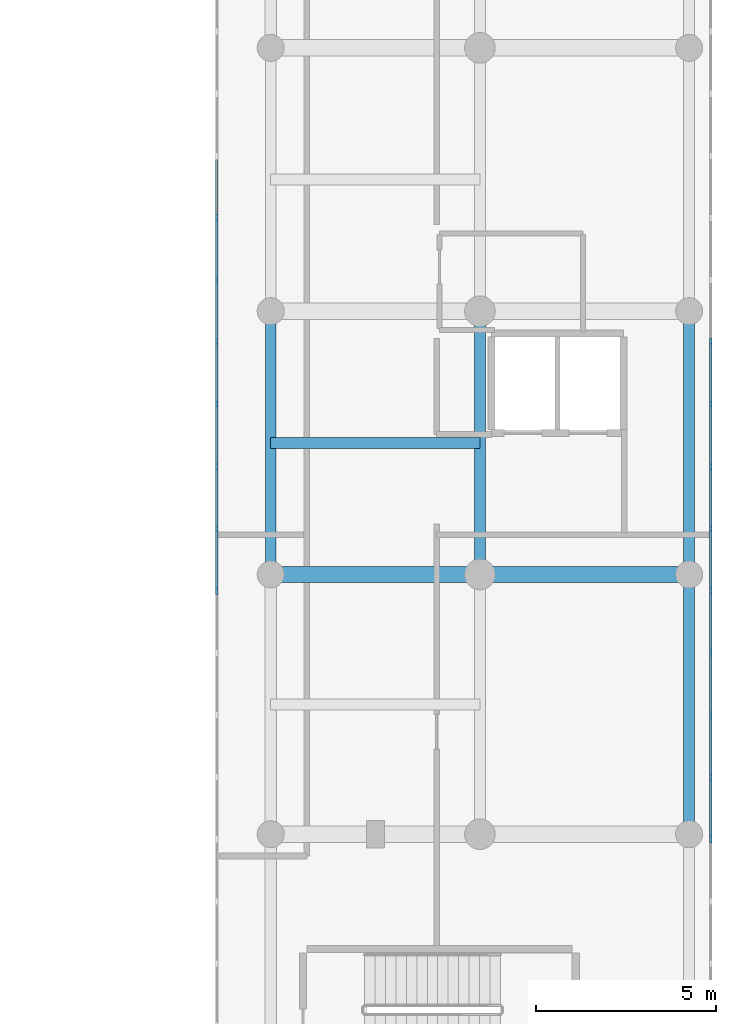
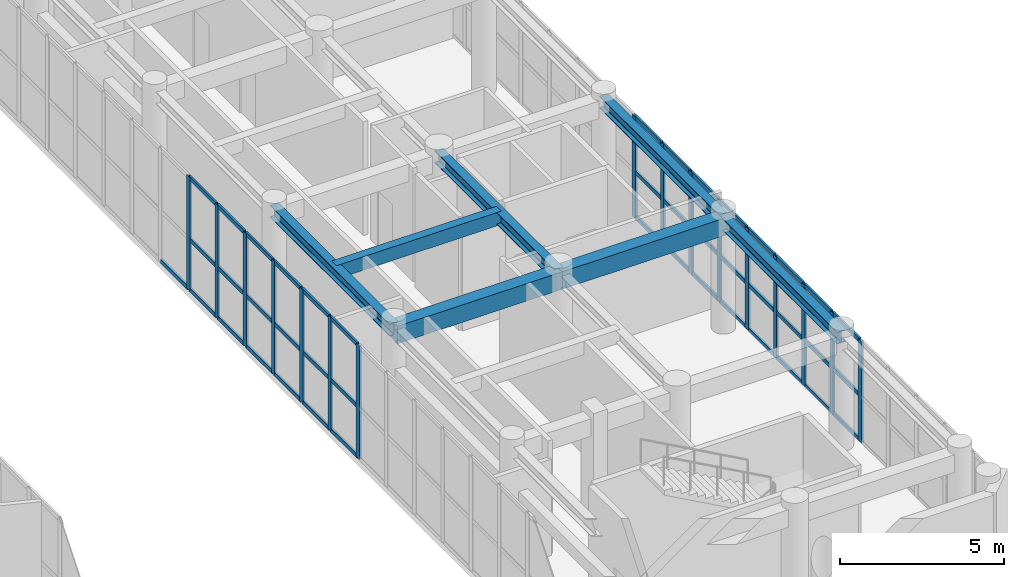
# One storey, part 6 of 24: 59 members, 7 beams, 2 elements without a shape of their own.
"""IFC4 building model written with IfcOpenShell, lengths in metres."""

from ifc_helpers import new_model, si_unit, direction, frame, origin, origin_with_axes, origin_2d, place, context, subcontext, project, spatial, rectangle, i_section, extrude, source, transform, mapped, material, layer, layer_set, material_profile, profile_set, type_object, element, aggregate, save


model = new_model("IFC4")

# Units and contexts
model_context = context("Model", 3, precision=1e-05, world=origin(), true_north=direction((0.0, 1.0)))
body_context = subcontext(model_context, "Body", "Model", "MODEL_VIEW")
ifc_project = project(units=[si_unit("LENGTHUNIT", "METRE"), si_unit("AREAUNIT", "SQUARE_METRE"), si_unit("VOLUMEUNIT", "CUBIC_METRE"), si_unit("PLANEANGLEUNIT", "RADIAN"), si_unit("MASSUNIT", "GRAM", prefix="KILO")], contexts=[model_context])

# Site, building, storey
site_placement = place(None, origin())
site = spatial("IfcSite", under=ifc_project, at=site_placement, CompositionType="ELEMENT")
building_placement = place(site_placement, origin())
building = spatial("IfcBuilding", under=site, at=building_placement, Name="Karkom Vertical University and Central Library", CompositionType="ELEMENT")
storey_placement = place(building_placement, frame((0.0, 0.0, 13.5)))
storey = spatial("IfcBuildingStorey", under=building, at=storey_placement, Name="L03", CompositionType="ELEMENT", Elevation=13.5)

# Beams
ifc_material_1 = material(Name="Concrete C40/50", Category="concrete")
ifc_material_profile_1 = material_profile(ifc_material_1, rectangle(XDim=0.449951171875, YDim=0.64990234375, at=origin_2d()), Name="RCB-450x650")
ifc_profile_set_1 = profile_set([ifc_material_profile_1], Name="Concrete C40/50")
beam_type_1 = type_object("IfcBeamType", Name="STR-BM-BG-4", PredefinedType="USERDEFINED", material=ifc_profile_set_1)
shared_shape_1 = source(origin_with_axes(), body_context, "Body", "SweptSolid", [
    extrude(rectangle(XDim=0.449951171875, YDim=0.64990234375, at=origin_2d()), origin(), (0.0, 0.0, 1.0), 5.7998046875),
])
beam_1_placement = place(storey_placement, frame((69.60009765625, 19.199951171875, 3.89990234375), z_axis=(1.0, 0.0, 0.0), x_axis=(0.0, 1.0, 0.0)))
element("IfcBeam", 1, at=beam_1_placement, inside=storey, type_object=beam_type_1, Name="Level 03 Library Transverse Girder 3.1", ObjectType="GIRDER", PredefinedType="USERDEFINED", context=body_context, shape_type="MappedRepresentation", body=[
    mapped(shared_shape_1, transform((0.0, 0.0, 0.0), scale=1.0)),
])
shared_shape_2 = source(origin_with_axes(), body_context, "Body", "SweptSolid", [
    extrude(rectangle(XDim=0.449951171875, YDim=0.64990234375, at=origin_2d()), origin(), (0.0, 0.0, 1.0), 5.800048828125),
])
beam_2_placement = place(storey_placement, frame((75.39990234375, 19.199951171875, 3.89990234375), z_axis=(1.0, 0.0, 0.0), x_axis=(0.0, 1.0, 0.0)))
element("IfcBeam", 2, at=beam_2_placement, inside=storey, type_object=beam_type_1, Name="Level 03 Library Transverse Girder 3.2", ObjectType="GIRDER", PredefinedType="USERDEFINED", context=body_context, shape_type="MappedRepresentation", body=[
    mapped(shared_shape_2, transform((0.0, 0.0, 0.0), scale=1.0)),
])
ifc_material_2 = material(Name="Steel S355", Category="steel")
ifc_material_profile_2 = material_profile(ifc_material_2, i_section(OverallWidth=0.300048828125, OverallDepth=0.449951171875, WebThickness=0.013916015625, FlangeThickness=0.02587890625, FilletRadius=0.027099609375, at=origin_2d()), Name="HE 450 B")
ifc_profile_set_2 = profile_set([ifc_material_profile_2], Name="Steel S355")
beam_type_2 = type_object("IfcBeamType", Name="STR-BM-SB-HE450", PredefinedType="BEAM", material=ifc_profile_set_2)
shared_shape_3 = source(origin_with_axes(), body_context, "Body", "SweptSolid", [
    extrude(i_section(OverallWidth=0.300048828125, OverallDepth=0.449951171875, WebThickness=0.013916015625, FlangeThickness=0.02587890625, FilletRadius=0.027099609375, at=origin_2d()), origin(), (0.0, 0.0, 1.0), 7.199951171875),
])
beam_3_placement = place(storey_placement, frame((81.199951171875, 12.0, 4.0), z_axis=(0.0, 1.0, 0.0), x_axis=(-1.0, 0.0, 0.0)))
element("IfcBeam", 3, at=beam_3_placement, inside=storey, type_object=beam_type_2, Name="Level 03 Library Longitudinal Beam 3.2", PredefinedType="BEAM", context=body_context, shape_type="MappedRepresentation", body=[
    mapped(shared_shape_3, transform((0.0, 0.0, 0.0), scale=1.0)),
])
shared_shape_4 = source(origin_with_axes(), body_context, "Body", "SweptSolid", [
    extrude(i_section(OverallWidth=0.300048828125, OverallDepth=0.449951171875, WebThickness=0.013916015625, FlangeThickness=0.02587890625, FilletRadius=0.027099609375, at=origin_2d()), origin(), (0.0, 0.0, 1.0), 7.300048828125),
])
for number, where, z_axis, x_axis, name in (
    (4, (69.60009765625, 19.199951171875, 4.0), (0.0, 1.0, 0.0), (-1.0, 0.0, 0.0), "Level 03 Library Longitudinal Beam 1.3"),
    (5, (75.39990234375, 19.199951171875, 4.0), (0.0, 1.0, 0.0), (-1.0, 0.0, 0.0), "Level 03 Library Longitudinal Beam 2.3"),
    (6, (81.199951171875, 19.199951171875, 4.0), (0.0, 1.0, 0.0), (-1.0, 0.0, 0.0), "Level 03 Library Longitudinal Beam 3.3"),
):
    element("IfcBeam", number, at=place(storey_placement, frame(where, z_axis=z_axis, x_axis=x_axis)), inside=storey, type_object=beam_type_2, Name=name, PredefinedType="BEAM", context=body_context, shape_type="MappedRepresentation", body=[
        mapped(shared_shape_4, transform((0.0, 0.0, 0.0), scale=1.0)),
    ])
ifc_material_profile_3 = material_profile(ifc_material_1, rectangle(XDim=0.300048828125, YDim=0.5, at=origin_2d()), Name="RCJ-300x500")
ifc_profile_set_3 = profile_set([ifc_material_profile_3], Name="Concrete C40/50")
beam_type_3 = type_object("IfcBeamType", Name="STR-BM-JS-1", PredefinedType="JOIST", material=ifc_profile_set_3)
shared_shape_5 = source(origin_with_axes(), body_context, "Body", "SweptSolid", [
    extrude(rectangle(XDim=0.300048828125, YDim=0.5, at=origin_2d()), origin(), (0.0, 0.0, 1.0), 5.7998046875),
])
beam_4_placement = place(storey_placement, frame((69.60009765625, 22.85009765625, 3.97509765625), z_axis=(1.0, 0.0, 0.0), x_axis=(0.0, 1.0, 0.0)))
element("IfcBeam", 7, at=beam_4_placement, inside=storey, type_object=beam_type_3, Name="Level 03 Library Reading Coffered Joist 3", PredefinedType="JOIST", context=body_context, shape_type="MappedRepresentation", body=[
    mapped(shared_shape_5, transform((0.0, 0.0, 0.0), scale=1.0)),
])

# Curtain wall, members
ifc_material_3 = material(Name="Aluminium curtain-wall framing and low-E IGU", Category="aluminium")
ifc_layer = layer(ifc_material_3, 0.199951171875)
ifc_layer_set = layer_set([ifc_layer], Name="Aluminium curtain-wall framing and low-E IGU")
curtain_wall_type = type_object("IfcCurtainWallType", Name="ENV-CW-1", PredefinedType="USERDEFINED", material=ifc_layer_set)
curtain_wall_1_placement = place(storey_placement, origin())
curtain_wall_1 = element("IfcCurtainWall", 8, at=curtain_wall_1_placement, inside=storey, type_object=curtain_wall_type, Name="Level 03 CW-1 Curtain Wall Level 03-CW-1-LIB-3", ObjectType="STICK MULLION GLAZING", PredefinedType="USERDEFINED")
ifc_material_4 = material(Name="Anodised Aluminium 6063-T6", Category="aluminium")
ifc_material_profile_4 = material_profile(ifc_material_4, rectangle(XDim=0.070068359375, YDim=0.199951171875, at=origin_2d()), Name="ALU-M70x200")
ifc_profile_set_4 = profile_set([ifc_material_profile_4], Name="Anodised Aluminium 6063-T6")
member_type_1 = type_object("IfcMemberType", Name="ENV-MEM-ALU-M70x200", PredefinedType="MULLION", material=ifc_profile_set_4)
shared_shape_6 = source(origin_with_axes(), body_context, "Body", "SweptSolid", [
    extrude(rectangle(XDim=0.070068359375, YDim=0.199951171875, at=origin_2d()), origin(), (0.0, 0.0, 1.0), 3.77490234375),
])
member_1_placement = place(storey_placement, frame((81.800048828125, 11.861083984375, 0.0), z_axis=(0.0, 0.0, 1.0), x_axis=(-1.0, 0.0, 0.0)))
member_1 = element("IfcMember", 9, at=member_1_placement, type_object=member_type_1, Name="CW-1 mullion 6", PredefinedType="MULLION", context=body_context, shape_type="MappedRepresentation", body=[
    mapped(shared_shape_6, transform((0.0, 0.0, 0.0), scale=1.0)),
])
member_2_placement = place(storey_placement, frame((81.800048828125, 13.583251953125, 0.0), z_axis=(0.0, 0.0, 1.0), x_axis=(-1.0, 0.0, 0.0)))
member_2 = element("IfcMember", 10, at=member_2_placement, type_object=member_type_1, Name="CW-1 mullion 7", PredefinedType="MULLION", context=body_context, shape_type="MappedRepresentation", body=[
    mapped(shared_shape_6, transform((0.0, 0.0, 0.0), scale=1.0)),
])
member_3_placement = place(storey_placement, frame((81.800048828125, 15.3056640625, 0.0), z_axis=(0.0, 0.0, 1.0), x_axis=(-1.0, 0.0, 0.0)))
member_3 = element("IfcMember", 11, at=member_3_placement, type_object=member_type_1, Name="CW-1 mullion 8", PredefinedType="MULLION", context=body_context, shape_type="MappedRepresentation", body=[
    mapped(shared_shape_6, transform((0.0, 0.0, 0.0), scale=1.0)),
])
member_4_placement = place(storey_placement, frame((81.800048828125, 17.02783203125, 0.0), z_axis=(0.0, 0.0, 1.0), x_axis=(-1.0, 0.0, 0.0)))
member_4 = element("IfcMember", 12, at=member_4_placement, type_object=member_type_1, Name="CW-1 mullion 9", PredefinedType="MULLION", context=body_context, shape_type="MappedRepresentation", body=[
    mapped(shared_shape_6, transform((0.0, 0.0, 0.0), scale=1.0)),
])
member_5_placement = place(storey_placement, frame((81.800048828125, 18.75, 0.0), z_axis=(0.0, 0.0, 1.0), x_axis=(-1.0, 0.0, 0.0)))
member_5 = element("IfcMember", 13, at=member_5_placement, type_object=member_type_1, Name="CW-1 mullion 10", PredefinedType="MULLION", context=body_context, shape_type="MappedRepresentation", body=[
    mapped(shared_shape_6, transform((0.0, 0.0, 0.0), scale=1.0)),
])
member_6_placement = place(storey_placement, frame((81.800048828125, 20.47216796875, 0.0), z_axis=(0.0, 0.0, 1.0), x_axis=(-1.0, 0.0, 0.0)))
member_6 = element("IfcMember", 14, at=member_6_placement, type_object=member_type_1, Name="CW-1 mullion 11", PredefinedType="MULLION", context=body_context, shape_type="MappedRepresentation", body=[
    mapped(shared_shape_6, transform((0.0, 0.0, 0.0), scale=1.0)),
])
member_7_placement = place(storey_placement, frame((81.800048828125, 22.1943359375, 0.0), z_axis=(0.0, 0.0, 1.0), x_axis=(-1.0, 0.0, 0.0)))
member_7 = element("IfcMember", 15, at=member_7_placement, type_object=member_type_1, Name="CW-1 mullion 12", PredefinedType="MULLION", context=body_context, shape_type="MappedRepresentation", body=[
    mapped(shared_shape_6, transform((0.0, 0.0, 0.0), scale=1.0)),
])
member_8_placement = place(storey_placement, frame((81.800048828125, 23.916748046875, 0.0), z_axis=(0.0, 0.0, 1.0), x_axis=(-1.0, 0.0, 0.0)))
member_8 = element("IfcMember", 16, at=member_8_placement, type_object=member_type_1, Name="CW-1 mullion 13", PredefinedType="MULLION", context=body_context, shape_type="MappedRepresentation", body=[
    mapped(shared_shape_6, transform((0.0, 0.0, 0.0), scale=1.0)),
])
member_9_placement = place(storey_placement, frame((81.800048828125, 25.638916015625, 0.0), z_axis=(0.0, 0.0, 1.0), x_axis=(-1.0, 0.0, 0.0)))
member_9 = element("IfcMember", 17, at=member_9_placement, type_object=member_type_1, Name="CW-1 mullion 14", PredefinedType="MULLION", context=body_context, shape_type="MappedRepresentation", body=[
    mapped(shared_shape_6, transform((0.0, 0.0, 0.0), scale=1.0)),
])
ifc_material_profile_5 = material_profile(ifc_material_4, rectangle(XDim=0.070068359375, YDim=0.14990234375, at=origin_2d()), Name="ALU-T70x150")
ifc_profile_set_5 = profile_set([ifc_material_profile_5], Name="Anodised Aluminium 6063-T6")
member_type_2 = type_object("IfcMemberType", Name="ENV-MEM-ALU-T70x150", PredefinedType="USERDEFINED", material=ifc_profile_set_5)
shared_shape_7 = source(origin_with_axes(), body_context, "Body", "SweptSolid", [
    extrude(rectangle(XDim=0.070068359375, YDim=0.14990234375, at=origin_2d()), origin(), (0.0, 0.0, 1.0), 1.652099609375),
])
member_10_placement = place(storey_placement, frame((81.800048828125, 13.618408203125, 0.034912109375), z_axis=(0.0, 1.0, 0.0), x_axis=(-1.0, 0.0, 0.0)))
member_10 = element("IfcMember", 18, at=member_10_placement, type_object=member_type_2, Name="CW-1 transom 7.1", ObjectType="TRANSOM", PredefinedType="USERDEFINED", context=body_context, shape_type="MappedRepresentation", body=[
    mapped(shared_shape_7, transform((0.0, 0.0, 0.0), scale=1.0)),
])
member_11_placement = place(storey_placement, frame((81.800048828125, 13.618408203125, 1.69873046875), z_axis=(0.0, 1.0, 0.0), x_axis=(-1.0, 0.0, 0.0)))
member_11 = element("IfcMember", 19, at=member_11_placement, type_object=member_type_2, Name="CW-1 transom 7.2", ObjectType="TRANSOM", PredefinedType="USERDEFINED", context=body_context, shape_type="MappedRepresentation", body=[
    mapped(shared_shape_7, transform((0.0, 0.0, 0.0), scale=1.0)),
])
member_12_placement = place(storey_placement, frame((81.800048828125, 13.618408203125, 3.739990234375), z_axis=(0.0, 1.0, 0.0), x_axis=(-1.0, 0.0, 0.0)))
member_12 = element("IfcMember", 20, at=member_12_placement, type_object=member_type_2, Name="CW-1 transom 7.3", ObjectType="TRANSOM", PredefinedType="USERDEFINED", context=body_context, shape_type="MappedRepresentation", body=[
    mapped(shared_shape_7, transform((0.0, 0.0, 0.0), scale=1.0)),
])
member_13_placement = place(storey_placement, frame((81.800048828125, 15.340576171875, 0.034912109375), z_axis=(0.0, 1.0, 0.0), x_axis=(-1.0, 0.0, 0.0)))
member_13 = element("IfcMember", 21, at=member_13_placement, type_object=member_type_2, Name="CW-1 transom 8.1", ObjectType="TRANSOM", PredefinedType="USERDEFINED", context=body_context, shape_type="MappedRepresentation", body=[
    mapped(shared_shape_7, transform((0.0, 0.0, 0.0), scale=1.0)),
])
member_14_placement = place(storey_placement, frame((81.800048828125, 15.340576171875, 1.69873046875), z_axis=(0.0, 1.0, 0.0), x_axis=(-1.0, 0.0, 0.0)))
member_14 = element("IfcMember", 22, at=member_14_placement, type_object=member_type_2, Name="CW-1 transom 8.2", ObjectType="TRANSOM", PredefinedType="USERDEFINED", context=body_context, shape_type="MappedRepresentation", body=[
    mapped(shared_shape_7, transform((0.0, 0.0, 0.0), scale=1.0)),
])
member_15_placement = place(storey_placement, frame((81.800048828125, 15.340576171875, 3.739990234375), z_axis=(0.0, 1.0, 0.0), x_axis=(-1.0, 0.0, 0.0)))
member_15 = element("IfcMember", 23, at=member_15_placement, type_object=member_type_2, Name="CW-1 transom 8.3", ObjectType="TRANSOM", PredefinedType="USERDEFINED", context=body_context, shape_type="MappedRepresentation", body=[
    mapped(shared_shape_7, transform((0.0, 0.0, 0.0), scale=1.0)),
])
member_16_placement = place(storey_placement, frame((81.800048828125, 20.50732421875, 0.034912109375), z_axis=(0.0, 1.0, 0.0), x_axis=(-1.0, 0.0, 0.0)))
member_16 = element("IfcMember", 24, at=member_16_placement, type_object=member_type_2, Name="CW-1 transom 11.1", ObjectType="TRANSOM", PredefinedType="USERDEFINED", context=body_context, shape_type="MappedRepresentation", body=[
    mapped(shared_shape_7, transform((0.0, 0.0, 0.0), scale=1.0)),
])
member_17_placement = place(storey_placement, frame((81.800048828125, 20.50732421875, 1.69873046875), z_axis=(0.0, 1.0, 0.0), x_axis=(-1.0, 0.0, 0.0)))
member_17 = element("IfcMember", 25, at=member_17_placement, type_object=member_type_2, Name="CW-1 transom 11.2", ObjectType="TRANSOM", PredefinedType="USERDEFINED", context=body_context, shape_type="MappedRepresentation", body=[
    mapped(shared_shape_7, transform((0.0, 0.0, 0.0), scale=1.0)),
])
member_18_placement = place(storey_placement, frame((81.800048828125, 20.50732421875, 3.739990234375), z_axis=(0.0, 1.0, 0.0), x_axis=(-1.0, 0.0, 0.0)))
member_18 = element("IfcMember", 26, at=member_18_placement, type_object=member_type_2, Name="CW-1 transom 11.3", ObjectType="TRANSOM", PredefinedType="USERDEFINED", context=body_context, shape_type="MappedRepresentation", body=[
    mapped(shared_shape_7, transform((0.0, 0.0, 0.0), scale=1.0)),
])
member_19_placement = place(storey_placement, frame((81.800048828125, 22.2294921875, 0.034912109375), z_axis=(0.0, 1.0, 0.0), x_axis=(-1.0, 0.0, 0.0)))
member_19 = element("IfcMember", 27, at=member_19_placement, type_object=member_type_2, Name="CW-1 transom 12.1", ObjectType="TRANSOM", PredefinedType="USERDEFINED", context=body_context, shape_type="MappedRepresentation", body=[
    mapped(shared_shape_7, transform((0.0, 0.0, 0.0), scale=1.0)),
])
member_20_placement = place(storey_placement, frame((81.800048828125, 22.2294921875, 1.69873046875), z_axis=(0.0, 1.0, 0.0), x_axis=(-1.0, 0.0, 0.0)))
member_20 = element("IfcMember", 28, at=member_20_placement, type_object=member_type_2, Name="CW-1 transom 12.2", ObjectType="TRANSOM", PredefinedType="USERDEFINED", context=body_context, shape_type="MappedRepresentation", body=[
    mapped(shared_shape_7, transform((0.0, 0.0, 0.0), scale=1.0)),
])
member_21_placement = place(storey_placement, frame((81.800048828125, 22.2294921875, 3.739990234375), z_axis=(0.0, 1.0, 0.0), x_axis=(-1.0, 0.0, 0.0)))
member_21 = element("IfcMember", 29, at=member_21_placement, type_object=member_type_2, Name="CW-1 transom 12.3", ObjectType="TRANSOM", PredefinedType="USERDEFINED", context=body_context, shape_type="MappedRepresentation", body=[
    mapped(shared_shape_7, transform((0.0, 0.0, 0.0), scale=1.0)),
])

curtain_wall_2_placement = place(storey_placement, origin())
curtain_wall_2 = element("IfcCurtainWall", 30, at=curtain_wall_2_placement, inside=storey, type_object=curtain_wall_type, Name="Level 03 CW-1 Curtain Wall Level 03-CW-1-LIB-7", ObjectType="STICK MULLION GLAZING", PredefinedType="USERDEFINED")
member_22_placement = place(storey_placement, frame((68.10009765625, 30.7705078125, 0.034912109375), z_axis=(0.0, -1.0, 0.0), x_axis=(1.0, 0.0, 0.0)))
member_22 = element("IfcMember", 31, at=member_22_placement, type_object=member_type_2, Name="CW-1 transom 12.1", ObjectType="TRANSOM", PredefinedType="USERDEFINED", context=body_context, shape_type="MappedRepresentation", body=[
    mapped(shared_shape_7, transform((0.0, 0.0, 0.0), scale=1.0)),
])
member_23_placement = place(storey_placement, frame((68.10009765625, 23.881591796875, 0.034912109375), z_axis=(0.0, -1.0, 0.0), x_axis=(1.0, 0.0, 0.0)))
member_23 = element("IfcMember", 32, at=member_23_placement, type_object=member_type_2, Name="CW-1 transom 16.1", ObjectType="TRANSOM", PredefinedType="USERDEFINED", context=body_context, shape_type="MappedRepresentation", body=[
    mapped(shared_shape_7, transform((0.0, 0.0, 0.0), scale=1.0)),
])
member_24_placement = place(storey_placement, frame((68.10009765625, 23.881591796875, 1.901123046875), z_axis=(0.0, -1.0, 0.0), x_axis=(1.0, 0.0, 0.0)))
member_24 = element("IfcMember", 33, at=member_24_placement, type_object=member_type_2, Name="CW-1 transom 16.2", ObjectType="TRANSOM", PredefinedType="USERDEFINED", context=body_context, shape_type="MappedRepresentation", body=[
    mapped(shared_shape_7, transform((0.0, 0.0, 0.0), scale=1.0)),
])
member_25_placement = place(storey_placement, frame((68.10009765625, 23.881591796875, 4.18994140625), z_axis=(0.0, -1.0, 0.0), x_axis=(1.0, 0.0, 0.0)))
member_25 = element("IfcMember", 34, at=member_25_placement, type_object=member_type_2, Name="CW-1 transom 16.3", ObjectType="TRANSOM", PredefinedType="USERDEFINED", context=body_context, shape_type="MappedRepresentation", body=[
    mapped(shared_shape_7, transform((0.0, 0.0, 0.0), scale=1.0)),
])
member_26_placement = place(storey_placement, frame((68.10009765625, 22.159423828125, 0.034912109375), z_axis=(0.0, -1.0, 0.0), x_axis=(1.0, 0.0, 0.0)))
member_26 = element("IfcMember", 35, at=member_26_placement, type_object=member_type_2, Name="CW-1 transom 17.1", ObjectType="TRANSOM", PredefinedType="USERDEFINED", context=body_context, shape_type="MappedRepresentation", body=[
    mapped(shared_shape_7, transform((0.0, 0.0, 0.0), scale=1.0)),
])
member_27_placement = place(storey_placement, frame((68.10009765625, 22.159423828125, 1.901123046875), z_axis=(0.0, -1.0, 0.0), x_axis=(1.0, 0.0, 0.0)))
member_27 = element("IfcMember", 36, at=member_27_placement, type_object=member_type_2, Name="CW-1 transom 17.2", ObjectType="TRANSOM", PredefinedType="USERDEFINED", context=body_context, shape_type="MappedRepresentation", body=[
    mapped(shared_shape_7, transform((0.0, 0.0, 0.0), scale=1.0)),
])
member_28_placement = place(storey_placement, frame((68.10009765625, 22.159423828125, 4.18994140625), z_axis=(0.0, -1.0, 0.0), x_axis=(1.0, 0.0, 0.0)))
member_28 = element("IfcMember", 37, at=member_28_placement, type_object=member_type_2, Name="CW-1 transom 17.3", ObjectType="TRANSOM", PredefinedType="USERDEFINED", context=body_context, shape_type="MappedRepresentation", body=[
    mapped(shared_shape_7, transform((0.0, 0.0, 0.0), scale=1.0)),
])

# Member
shared_shape_8 = source(origin_with_axes(), body_context, "Body", "SweptSolid", [
    extrude(rectangle(XDim=0.070068359375, YDim=0.14990234375, at=origin_2d()), origin(), (0.0, 0.0, 1.0), 1.65234375),
])
member_29_placement = place(storey_placement, frame((81.800048828125, 11.89599609375, 0.034912109375), z_axis=(0.0, 1.0, 0.0), x_axis=(-1.0, 0.0, 0.0)))
member_29 = element("IfcMember", 38, at=member_29_placement, type_object=member_type_2, Name="CW-1 transom 6.1", ObjectType="TRANSOM", PredefinedType="USERDEFINED", context=body_context, shape_type="MappedRepresentation", body=[
    mapped(shared_shape_8, transform((0.0, 0.0, 0.0), scale=1.0)),
])

member_30_placement = place(storey_placement, frame((81.800048828125, 11.89599609375, 1.69873046875), z_axis=(0.0, 1.0, 0.0), x_axis=(-1.0, 0.0, 0.0)))
member_30 = element("IfcMember", 39, at=member_30_placement, type_object=member_type_2, Name="CW-1 transom 6.2", ObjectType="TRANSOM", PredefinedType="USERDEFINED", context=body_context, shape_type="MappedRepresentation", body=[
    mapped(shared_shape_8, transform((0.0, 0.0, 0.0), scale=1.0)),
])

member_31_placement = place(storey_placement, frame((81.800048828125, 11.89599609375, 3.739990234375), z_axis=(0.0, 1.0, 0.0), x_axis=(-1.0, 0.0, 0.0)))
member_31 = element("IfcMember", 40, at=member_31_placement, type_object=member_type_2, Name="CW-1 transom 6.3", ObjectType="TRANSOM", PredefinedType="USERDEFINED", context=body_context, shape_type="MappedRepresentation", body=[
    mapped(shared_shape_8, transform((0.0, 0.0, 0.0), scale=1.0)),
])

member_32_placement = place(storey_placement, frame((81.800048828125, 17.062744140625, 0.034912109375), z_axis=(0.0, 1.0, 0.0), x_axis=(-1.0, 0.0, 0.0)))
member_32 = element("IfcMember", 41, at=member_32_placement, type_object=member_type_2, Name="CW-1 transom 9.1", ObjectType="TRANSOM", PredefinedType="USERDEFINED", context=body_context, shape_type="MappedRepresentation", body=[
    mapped(shared_shape_8, transform((0.0, 0.0, 0.0), scale=1.0)),
])

member_33_placement = place(storey_placement, frame((81.800048828125, 17.062744140625, 1.69873046875), z_axis=(0.0, 1.0, 0.0), x_axis=(-1.0, 0.0, 0.0)))
member_33 = element("IfcMember", 42, at=member_33_placement, type_object=member_type_2, Name="CW-1 transom 9.2", ObjectType="TRANSOM", PredefinedType="USERDEFINED", context=body_context, shape_type="MappedRepresentation", body=[
    mapped(shared_shape_8, transform((0.0, 0.0, 0.0), scale=1.0)),
])

member_34_placement = place(storey_placement, frame((81.800048828125, 17.062744140625, 3.739990234375), z_axis=(0.0, 1.0, 0.0), x_axis=(-1.0, 0.0, 0.0)))
member_34 = element("IfcMember", 43, at=member_34_placement, type_object=member_type_2, Name="CW-1 transom 9.3", ObjectType="TRANSOM", PredefinedType="USERDEFINED", context=body_context, shape_type="MappedRepresentation", body=[
    mapped(shared_shape_8, transform((0.0, 0.0, 0.0), scale=1.0)),
])

member_35_placement = place(storey_placement, frame((81.800048828125, 18.784912109375, 0.034912109375), z_axis=(0.0, 1.0, 0.0), x_axis=(-1.0, 0.0, 0.0)))
member_35 = element("IfcMember", 44, at=member_35_placement, type_object=member_type_2, Name="CW-1 transom 10.1", ObjectType="TRANSOM", PredefinedType="USERDEFINED", context=body_context, shape_type="MappedRepresentation", body=[
    mapped(shared_shape_8, transform((0.0, 0.0, 0.0), scale=1.0)),
])

member_36_placement = place(storey_placement, frame((81.800048828125, 18.784912109375, 1.69873046875), z_axis=(0.0, 1.0, 0.0), x_axis=(-1.0, 0.0, 0.0)))
member_36 = element("IfcMember", 45, at=member_36_placement, type_object=member_type_2, Name="CW-1 transom 10.2", ObjectType="TRANSOM", PredefinedType="USERDEFINED", context=body_context, shape_type="MappedRepresentation", body=[
    mapped(shared_shape_8, transform((0.0, 0.0, 0.0), scale=1.0)),
])

member_37_placement = place(storey_placement, frame((81.800048828125, 18.784912109375, 3.739990234375), z_axis=(0.0, 1.0, 0.0), x_axis=(-1.0, 0.0, 0.0)))
member_37 = element("IfcMember", 46, at=member_37_placement, type_object=member_type_2, Name="CW-1 transom 10.3", ObjectType="TRANSOM", PredefinedType="USERDEFINED", context=body_context, shape_type="MappedRepresentation", body=[
    mapped(shared_shape_8, transform((0.0, 0.0, 0.0), scale=1.0)),
])

member_38_placement = place(storey_placement, frame((81.800048828125, 23.95166015625, 0.034912109375), z_axis=(0.0, 1.0, 0.0), x_axis=(-1.0, 0.0, 0.0)))
member_38 = element("IfcMember", 47, at=member_38_placement, type_object=member_type_2, Name="CW-1 transom 13.1", ObjectType="TRANSOM", PredefinedType="USERDEFINED", context=body_context, shape_type="MappedRepresentation", body=[
    mapped(shared_shape_8, transform((0.0, 0.0, 0.0), scale=1.0)),
])

member_39_placement = place(storey_placement, frame((81.800048828125, 23.95166015625, 1.69873046875), z_axis=(0.0, 1.0, 0.0), x_axis=(-1.0, 0.0, 0.0)))
member_39 = element("IfcMember", 48, at=member_39_placement, type_object=member_type_2, Name="CW-1 transom 13.2", ObjectType="TRANSOM", PredefinedType="USERDEFINED", context=body_context, shape_type="MappedRepresentation", body=[
    mapped(shared_shape_8, transform((0.0, 0.0, 0.0), scale=1.0)),
])

member_40_placement = place(storey_placement, frame((81.800048828125, 23.95166015625, 3.739990234375), z_axis=(0.0, 1.0, 0.0), x_axis=(-1.0, 0.0, 0.0)))
member_40 = element("IfcMember", 49, at=member_40_placement, type_object=member_type_2, Name="CW-1 transom 13.3", ObjectType="TRANSOM", PredefinedType="USERDEFINED", context=body_context, shape_type="MappedRepresentation", body=[
    mapped(shared_shape_8, transform((0.0, 0.0, 0.0), scale=1.0)),
])

aggregate(curtain_wall_1, [member_1, member_2, member_3, member_4, member_5, member_6, member_7, member_8, member_9, member_29, member_30, member_31, member_10, member_11, member_12, member_13, member_14, member_15, member_32, member_33, member_34, member_35, member_36, member_37, member_16, member_17, member_18, member_19, member_20, member_21, member_38, member_39, member_40])

member_41_placement = place(storey_placement, frame((68.10009765625, 29.04833984375, 0.034912109375), z_axis=(0.0, -1.0, 0.0), x_axis=(1.0, 0.0, 0.0)))
member_41 = element("IfcMember", 50, at=member_41_placement, type_object=member_type_2, Name="CW-1 transom 13.1", ObjectType="TRANSOM", PredefinedType="USERDEFINED", context=body_context, shape_type="MappedRepresentation", body=[
    mapped(shared_shape_8, transform((0.0, 0.0, 0.0), scale=1.0)),
])

member_42_placement = place(storey_placement, frame((68.10009765625, 29.04833984375, 1.901123046875), z_axis=(0.0, -1.0, 0.0), x_axis=(1.0, 0.0, 0.0)))
member_42 = element("IfcMember", 51, at=member_42_placement, type_object=member_type_2, Name="CW-1 transom 13.2", ObjectType="TRANSOM", PredefinedType="USERDEFINED", context=body_context, shape_type="MappedRepresentation", body=[
    mapped(shared_shape_8, transform((0.0, 0.0, 0.0), scale=1.0)),
])

member_43_placement = place(storey_placement, frame((68.10009765625, 29.04833984375, 4.18994140625), z_axis=(0.0, -1.0, 0.0), x_axis=(1.0, 0.0, 0.0)))
member_43 = element("IfcMember", 52, at=member_43_placement, type_object=member_type_2, Name="CW-1 transom 13.3", ObjectType="TRANSOM", PredefinedType="USERDEFINED", context=body_context, shape_type="MappedRepresentation", body=[
    mapped(shared_shape_8, transform((0.0, 0.0, 0.0), scale=1.0)),
])

member_44_placement = place(storey_placement, frame((68.10009765625, 27.326171875, 0.034912109375), z_axis=(0.0, -1.0, 0.0), x_axis=(1.0, 0.0, 0.0)))
member_44 = element("IfcMember", 53, at=member_44_placement, type_object=member_type_2, Name="CW-1 transom 14.1", ObjectType="TRANSOM", PredefinedType="USERDEFINED", context=body_context, shape_type="MappedRepresentation", body=[
    mapped(shared_shape_8, transform((0.0, 0.0, 0.0), scale=1.0)),
])

member_45_placement = place(storey_placement, frame((68.10009765625, 27.326171875, 1.901123046875), z_axis=(0.0, -1.0, 0.0), x_axis=(1.0, 0.0, 0.0)))
member_45 = element("IfcMember", 54, at=member_45_placement, type_object=member_type_2, Name="CW-1 transom 14.2", ObjectType="TRANSOM", PredefinedType="USERDEFINED", context=body_context, shape_type="MappedRepresentation", body=[
    mapped(shared_shape_8, transform((0.0, 0.0, 0.0), scale=1.0)),
])

member_46_placement = place(storey_placement, frame((68.10009765625, 27.326171875, 4.18994140625), z_axis=(0.0, -1.0, 0.0), x_axis=(1.0, 0.0, 0.0)))
member_46 = element("IfcMember", 55, at=member_46_placement, type_object=member_type_2, Name="CW-1 transom 14.3", ObjectType="TRANSOM", PredefinedType="USERDEFINED", context=body_context, shape_type="MappedRepresentation", body=[
    mapped(shared_shape_8, transform((0.0, 0.0, 0.0), scale=1.0)),
])

member_47_placement = place(storey_placement, frame((68.10009765625, 25.60400390625, 0.034912109375), z_axis=(0.0, -1.0, 0.0), x_axis=(1.0, 0.0, 0.0)))
member_47 = element("IfcMember", 56, at=member_47_placement, type_object=member_type_2, Name="CW-1 transom 15.1", ObjectType="TRANSOM", PredefinedType="USERDEFINED", context=body_context, shape_type="MappedRepresentation", body=[
    mapped(shared_shape_8, transform((0.0, 0.0, 0.0), scale=1.0)),
])

member_48_placement = place(storey_placement, frame((68.10009765625, 25.60400390625, 1.901123046875), z_axis=(0.0, -1.0, 0.0), x_axis=(1.0, 0.0, 0.0)))
member_48 = element("IfcMember", 57, at=member_48_placement, type_object=member_type_2, Name="CW-1 transom 15.2", ObjectType="TRANSOM", PredefinedType="USERDEFINED", context=body_context, shape_type="MappedRepresentation", body=[
    mapped(shared_shape_8, transform((0.0, 0.0, 0.0), scale=1.0)),
])

member_49_placement = place(storey_placement, frame((68.10009765625, 25.60400390625, 4.18994140625), z_axis=(0.0, -1.0, 0.0), x_axis=(1.0, 0.0, 0.0)))
member_49 = element("IfcMember", 58, at=member_49_placement, type_object=member_type_2, Name="CW-1 transom 15.3", ObjectType="TRANSOM", PredefinedType="USERDEFINED", context=body_context, shape_type="MappedRepresentation", body=[
    mapped(shared_shape_8, transform((0.0, 0.0, 0.0), scale=1.0)),
])

member_50_placement = place(storey_placement, frame((68.10009765625, 20.437255859375, 0.034912109375), z_axis=(0.0, -1.0, 0.0), x_axis=(1.0, 0.0, 0.0)))
member_50 = element("IfcMember", 59, at=member_50_placement, type_object=member_type_2, Name="CW-1 transom 18.1", ObjectType="TRANSOM", PredefinedType="USERDEFINED", context=body_context, shape_type="MappedRepresentation", body=[
    mapped(shared_shape_8, transform((0.0, 0.0, 0.0), scale=1.0)),
])

member_51_placement = place(storey_placement, frame((68.10009765625, 20.437255859375, 1.901123046875), z_axis=(0.0, -1.0, 0.0), x_axis=(1.0, 0.0, 0.0)))
member_51 = element("IfcMember", 60, at=member_51_placement, type_object=member_type_2, Name="CW-1 transom 18.2", ObjectType="TRANSOM", PredefinedType="USERDEFINED", context=body_context, shape_type="MappedRepresentation", body=[
    mapped(shared_shape_8, transform((0.0, 0.0, 0.0), scale=1.0)),
])

member_52_placement = place(storey_placement, frame((68.10009765625, 20.437255859375, 4.18994140625), z_axis=(0.0, -1.0, 0.0), x_axis=(1.0, 0.0, 0.0)))
member_52 = element("IfcMember", 61, at=member_52_placement, type_object=member_type_2, Name="CW-1 transom 18.3", ObjectType="TRANSOM", PredefinedType="USERDEFINED", context=body_context, shape_type="MappedRepresentation", body=[
    mapped(shared_shape_8, transform((0.0, 0.0, 0.0), scale=1.0)),
])

shared_shape_9 = source(origin_with_axes(), body_context, "Body", "SweptSolid", [
    extrude(rectangle(XDim=0.070068359375, YDim=0.199951171875, at=origin_2d()), origin(), (0.0, 0.0, 1.0), 4.22509765625),
])
member_53_placement = place(storey_placement, frame((68.10009765625, 29.083251953125, 0.0), z_axis=(0.0, 0.0, 1.0), x_axis=(1.0, 0.0, 0.0)))
member_53 = element("IfcMember", 62, at=member_53_placement, type_object=member_type_1, Name="CW-1 mullion 13", PredefinedType="MULLION", context=body_context, shape_type="MappedRepresentation", body=[
    mapped(shared_shape_9, transform((0.0, 0.0, 0.0), scale=1.0)),
])

member_54_placement = place(storey_placement, frame((68.10009765625, 27.361083984375, 0.0), z_axis=(0.0, 0.0, 1.0), x_axis=(1.0, 0.0, 0.0)))
member_54 = element("IfcMember", 63, at=member_54_placement, type_object=member_type_1, Name="CW-1 mullion 14", PredefinedType="MULLION", context=body_context, shape_type="MappedRepresentation", body=[
    mapped(shared_shape_9, transform((0.0, 0.0, 0.0), scale=1.0)),
])

member_55_placement = place(storey_placement, frame((68.10009765625, 25.638916015625, 0.0), z_axis=(0.0, 0.0, 1.0), x_axis=(1.0, 0.0, 0.0)))
member_55 = element("IfcMember", 64, at=member_55_placement, type_object=member_type_1, Name="CW-1 mullion 15", PredefinedType="MULLION", context=body_context, shape_type="MappedRepresentation", body=[
    mapped(shared_shape_9, transform((0.0, 0.0, 0.0), scale=1.0)),
])

member_56_placement = place(storey_placement, frame((68.10009765625, 23.916748046875, 0.0), z_axis=(0.0, 0.0, 1.0), x_axis=(1.0, 0.0, 0.0)))
member_56 = element("IfcMember", 65, at=member_56_placement, type_object=member_type_1, Name="CW-1 mullion 16", PredefinedType="MULLION", context=body_context, shape_type="MappedRepresentation", body=[
    mapped(shared_shape_9, transform((0.0, 0.0, 0.0), scale=1.0)),
])

member_57_placement = place(storey_placement, frame((68.10009765625, 22.1943359375, 0.0), z_axis=(0.0, 0.0, 1.0), x_axis=(1.0, 0.0, 0.0)))
member_57 = element("IfcMember", 66, at=member_57_placement, type_object=member_type_1, Name="CW-1 mullion 17", PredefinedType="MULLION", context=body_context, shape_type="MappedRepresentation", body=[
    mapped(shared_shape_9, transform((0.0, 0.0, 0.0), scale=1.0)),
])

member_58_placement = place(storey_placement, frame((68.10009765625, 20.47216796875, 0.0), z_axis=(0.0, 0.0, 1.0), x_axis=(1.0, 0.0, 0.0)))
member_58 = element("IfcMember", 67, at=member_58_placement, type_object=member_type_1, Name="CW-1 mullion 18", PredefinedType="MULLION", context=body_context, shape_type="MappedRepresentation", body=[
    mapped(shared_shape_9, transform((0.0, 0.0, 0.0), scale=1.0)),
])

member_59_placement = place(storey_placement, frame((68.10009765625, 18.75, 0.0), z_axis=(0.0, 0.0, 1.0), x_axis=(1.0, 0.0, 0.0)))
member_59 = element("IfcMember", 68, at=member_59_placement, type_object=member_type_1, Name="CW-1 mullion 19", PredefinedType="MULLION", context=body_context, shape_type="MappedRepresentation", body=[
    mapped(shared_shape_9, transform((0.0, 0.0, 0.0), scale=1.0)),
])

aggregate(curtain_wall_2, [member_53, member_54, member_55, member_56, member_57, member_58, member_59, member_22, member_41, member_42, member_43, member_44, member_45, member_46, member_47, member_48, member_49, member_23, member_24, member_25, member_26, member_27, member_28, member_50, member_51, member_52])

save(model, "model.ifc")
